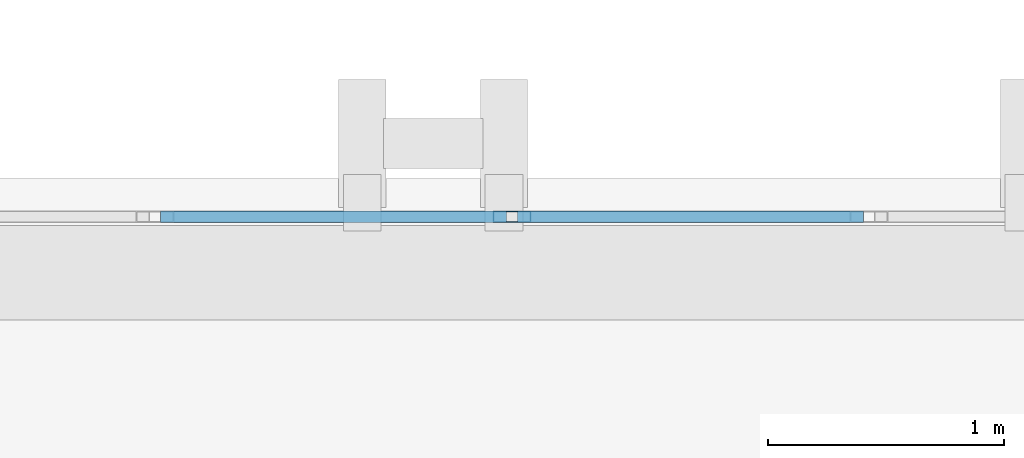
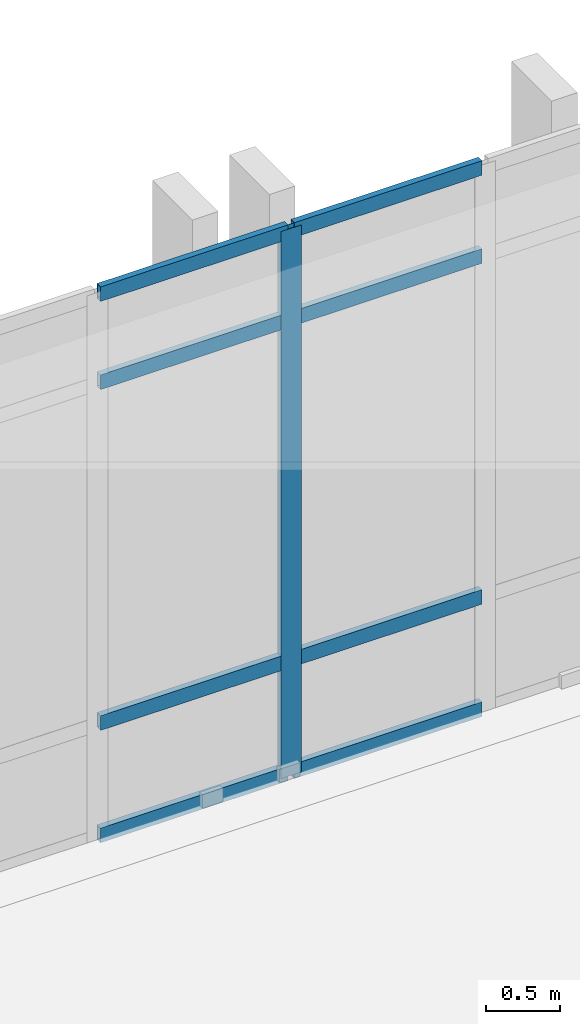
# One storey, part 103 of 189: 9 members, 1 element without a shape of its own.
"""IFC4 building model written with IfcOpenShell, lengths in metres."""

from ifc_helpers import new_model, si_unit, direction, frame, origin, origin_2d, place, context, subcontext, project, spatial, hollow_rectangle, extrude, material, layer, layer_set, material_profile, profile_set, type_object, element, aggregate, save


model = new_model("IFC4")

# Units and contexts
model_context = context("Model", 3, precision=1e-05, world=origin(), true_north=direction((0.0, 1.0)))
body_context = subcontext(model_context, "Body", "Model", "MODEL_VIEW")
ifc_project = project(units=[si_unit("LENGTHUNIT", "METRE"), si_unit("AREAUNIT", "SQUARE_METRE"), si_unit("VOLUMEUNIT", "CUBIC_METRE"), si_unit("PLANEANGLEUNIT", "RADIAN"), si_unit("MASSUNIT", "GRAM", prefix="KILO")], contexts=[model_context])

# Site, building, storey
site_placement = place(None, origin())
site = spatial("IfcSite", under=ifc_project, at=site_placement, CompositionType="ELEMENT")
building_placement = place(site_placement, origin())
building = spatial("IfcBuilding", under=site, at=building_placement, Name="Qalavern Law Courts", CompositionType="ELEMENT")
storey_placement = place(building_placement, frame((0.0, 0.0, 5.39990234375)))
storey = spatial("IfcBuildingStorey", under=building, at=storey_placement, Name="L01", CompositionType="ELEMENT", Elevation=5.39990234375)

# Curtain wall, members
ifc_material_1 = material(Name="Anodised aluminium and insulated glazing", Category="aluminium")
ifc_layer = layer(ifc_material_1, 0.172119140625)
ifc_layer_set = layer_set([ifc_layer], Name="Anodised aluminium and insulated glazing")
curtain_wall_type = type_object("IfcCurtainWallType", Name="ENV-CW-COURT", PredefinedType="USERDEFINED", material=ifc_layer_set)
curtain_wall_placement = place(storey_placement, origin())
curtain_wall = element("IfcCurtainWall", 1, at=curtain_wall_placement, inside=storey, type_object=curtain_wall_type, Name="V4 unitised curtain wall L01 north 1", ObjectType="UNITISED CURTAIN WALL", PredefinedType="USERDEFINED")
ifc_material_2 = material(Name="Anodised aluminium", Category="aluminium")
ifc_material_profile_1 = material_profile(ifc_material_2, hollow_rectangle(XDim=0.048095703125, YDim=0.159912109375, WallThickness=0.00390625, at=origin_2d()), Name="ALU MULLION 48x160")
ifc_profile_set_1 = profile_set([ifc_material_profile_1], Name="Anodised aluminium")
member_type_1 = type_object("IfcMemberType", Name="ENV-CWM-48x160", PredefinedType="MULLION", material=ifc_profile_set_1)
member_1_placement = place(storey_placement, frame((96.833251953125, 85.637451171875, 0.0), z_axis=(0.0, 0.0, 1.0), x_axis=(0.0, -1.0, 0.0)))
member_1 = element("IfcMember", 2, at=member_1_placement, type_object=member_type_1, Name="CW-03 mullion 7", PredefinedType="MULLION", context=body_context, shape_type="SweptSolid", body=[
    extrude(hollow_rectangle(XDim=0.048095703125, YDim=0.159912109375, WallThickness=0.00390625, at=origin_2d()), origin(), (0.0, 0.0, 1.0), 4.510009765625),
])
ifc_material_profile_2 = material_profile(ifc_material_2, hollow_rectangle(XDim=0.048095703125, YDim=0.1201171875, WallThickness=0.00390625, at=origin_2d()), Name="ALU TRANSOM 48x120")
ifc_profile_set_2 = profile_set([ifc_material_profile_2], Name="Anodised aluminium")
member_type_2 = type_object("IfcMemberType", Name="ENV-CWT-48x120", PredefinedType="USERDEFINED", material=ifc_profile_set_2)
member_2_placement = place(storey_placement, frame((98.320556640625, 85.637451171875, 0.024169921875), z_axis=(-1.0, 0.0, 0.0), x_axis=(0.0, -1.0, 0.0)))
member_2 = element("IfcMember", 3, at=member_2_placement, type_object=member_type_2, Name="CW-03 transom 6.1", ObjectType="TRANSOM", PredefinedType="USERDEFINED", context=body_context, shape_type="SweptSolid", body=[
    extrude(hollow_rectangle(XDim=0.048095703125, YDim=0.1201171875, WallThickness=0.00390625, at=origin_2d()), origin(), (0.0, 0.0, 1.0), 1.463134765625),
])
member_3_placement = place(storey_placement, frame((98.320556640625, 85.637451171875, 0.9501953125), z_axis=(-1.0, 0.0, 0.0), x_axis=(0.0, -1.0, 0.0)))
member_3 = element("IfcMember", 4, at=member_3_placement, type_object=member_type_2, Name="CW-03 transom 6.2", ObjectType="TRANSOM", PredefinedType="USERDEFINED", context=body_context, shape_type="SweptSolid", body=[
    extrude(hollow_rectangle(XDim=0.048095703125, YDim=0.1201171875, WallThickness=0.00390625, at=origin_2d()), origin(), (0.0, 0.0, 1.0), 1.463134765625),
])
member_4_placement = place(storey_placement, frame((98.320556640625, 85.637451171875, 3.760009765625), z_axis=(-1.0, 0.0, 0.0), x_axis=(0.0, -1.0, 0.0)))
member_4 = element("IfcMember", 5, at=member_4_placement, type_object=member_type_2, Name="CW-03 transom 6.3", ObjectType="TRANSOM", PredefinedType="USERDEFINED", context=body_context, shape_type="SweptSolid", body=[
    extrude(hollow_rectangle(XDim=0.048095703125, YDim=0.1201171875, WallThickness=0.00390625, at=origin_2d()), origin(), (0.0, 0.0, 1.0), 1.463134765625),
])
member_5_placement = place(storey_placement, frame((98.320556640625, 85.637451171875, 4.486083984375), z_axis=(-1.0, 0.0, 0.0), x_axis=(0.0, -1.0, 0.0)))
member_5 = element("IfcMember", 6, at=member_5_placement, type_object=member_type_2, Name="CW-03 transom 6.4", ObjectType="TRANSOM", PredefinedType="USERDEFINED", context=body_context, shape_type="SweptSolid", body=[
    extrude(hollow_rectangle(XDim=0.048095703125, YDim=0.1201171875, WallThickness=0.00390625, at=origin_2d()), origin(), (0.0, 0.0, 1.0), 1.463134765625),
])
member_6_placement = place(storey_placement, frame((96.809326171875, 85.637451171875, 0.024169921875), z_axis=(-1.0, 0.0, 0.0), x_axis=(0.0, -1.0, 0.0)))
member_6 = element("IfcMember", 7, at=member_6_placement, type_object=member_type_2, Name="CW-03 transom 7.1", ObjectType="TRANSOM", PredefinedType="USERDEFINED", context=body_context, shape_type="SweptSolid", body=[
    extrude(hollow_rectangle(XDim=0.048095703125, YDim=0.1201171875, WallThickness=0.00390625, at=origin_2d()), origin(), (0.0, 0.0, 1.0), 1.463134765625),
])
member_7_placement = place(storey_placement, frame((96.809326171875, 85.637451171875, 0.9501953125), z_axis=(-1.0, 0.0, 0.0), x_axis=(0.0, -1.0, 0.0)))
member_7 = element("IfcMember", 8, at=member_7_placement, type_object=member_type_2, Name="CW-03 transom 7.2", ObjectType="TRANSOM", PredefinedType="USERDEFINED", context=body_context, shape_type="SweptSolid", body=[
    extrude(hollow_rectangle(XDim=0.048095703125, YDim=0.1201171875, WallThickness=0.00390625, at=origin_2d()), origin(), (0.0, 0.0, 1.0), 1.463134765625),
])
member_8_placement = place(storey_placement, frame((96.809326171875, 85.637451171875, 3.760009765625), z_axis=(-1.0, 0.0, 0.0), x_axis=(0.0, -1.0, 0.0)))
member_8 = element("IfcMember", 9, at=member_8_placement, type_object=member_type_2, Name="CW-03 transom 7.3", ObjectType="TRANSOM", PredefinedType="USERDEFINED", context=body_context, shape_type="SweptSolid", body=[
    extrude(hollow_rectangle(XDim=0.048095703125, YDim=0.1201171875, WallThickness=0.00390625, at=origin_2d()), origin(), (0.0, 0.0, 1.0), 1.463134765625),
])
member_9_placement = place(storey_placement, frame((96.809326171875, 85.637451171875, 4.486083984375), z_axis=(-1.0, 0.0, 0.0), x_axis=(0.0, -1.0, 0.0)))
member_9 = element("IfcMember", 10, at=member_9_placement, type_object=member_type_2, Name="CW-03 transom 7.4", ObjectType="TRANSOM", PredefinedType="USERDEFINED", context=body_context, shape_type="SweptSolid", body=[
    extrude(hollow_rectangle(XDim=0.048095703125, YDim=0.1201171875, WallThickness=0.00390625, at=origin_2d()), origin(), (0.0, 0.0, 1.0), 1.463134765625),
])
aggregate(curtain_wall, [member_1, member_2, member_3, member_4, member_5, member_6, member_7, member_8, member_9])

save(model, "model.ifc")
